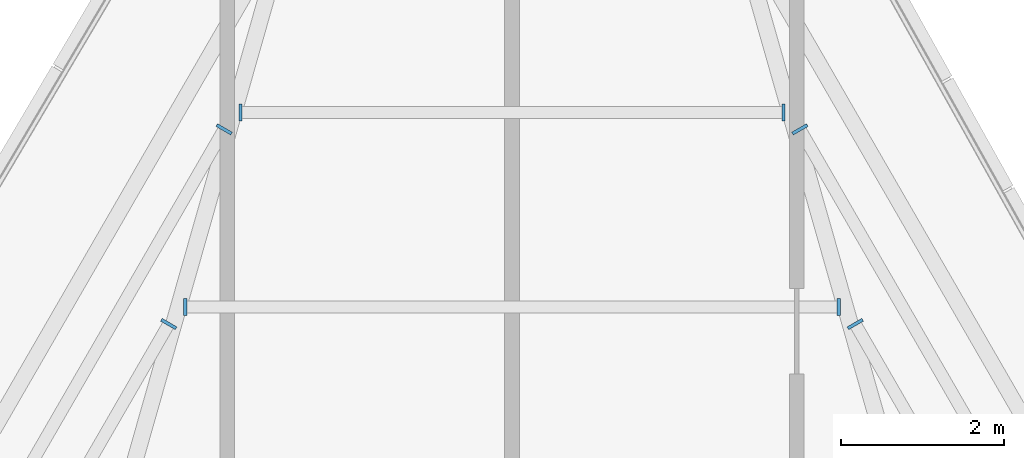
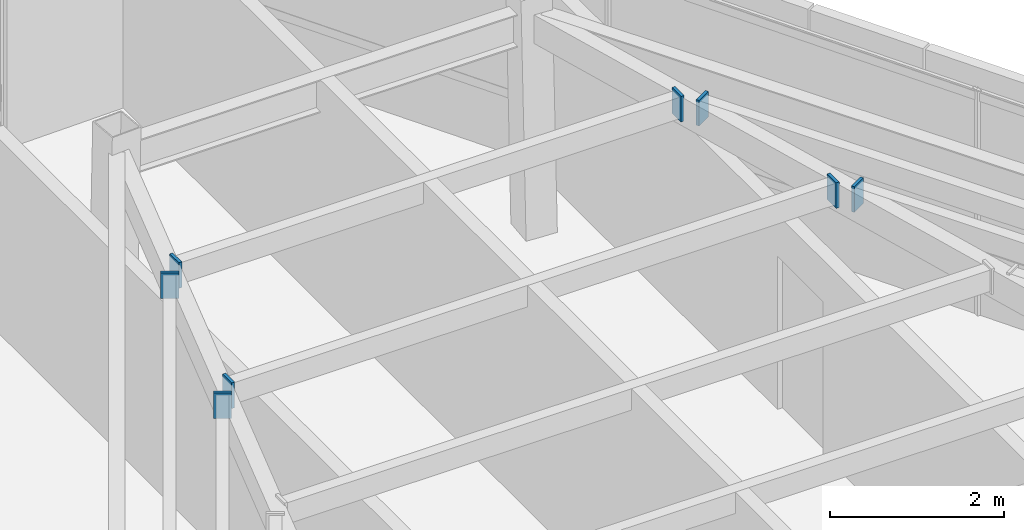
# One storey, part 42 of 48: 8 plates.
"""IFC4 building model written with IfcOpenShell, lengths in metres."""

from ifc_helpers import new_model, si_unit, direction, frame, origin, origin_2d, place, context, subcontext, project, spatial, rectangle, extrude, source, transform, mapped, material, layer, layer_set, type_object, type_shapes, element, save


model = new_model("IFC4")

# Units and contexts
model_context = context("Model", 3, precision=1e-05, world=origin(), true_north=direction((0.0, 1.0)))
body_context = subcontext(model_context, "Body", "Model", "MODEL_VIEW")
ifc_project = project(units=[si_unit("LENGTHUNIT", "METRE"), si_unit("AREAUNIT", "SQUARE_METRE"), si_unit("VOLUMEUNIT", "CUBIC_METRE"), si_unit("PLANEANGLEUNIT", "RADIAN"), si_unit("MASSUNIT", "GRAM", prefix="KILO")], contexts=[model_context])

# Site, building, storey
site_placement = place(None, origin())
site = spatial("IfcSite", under=ifc_project, at=site_placement, CompositionType="ELEMENT")
building_placement = place(site_placement, origin())
building = spatial("IfcBuilding", under=site, at=building_placement, Name="Caelisora Broadcast Tower", CompositionType="ELEMENT")
storey_placement = place(building_placement, frame((0.0, 0.0, 300.0)))
storey = spatial("IfcBuildingStorey", under=building, at=storey_placement, Name="L79", CompositionType="ELEMENT", Elevation=300.0)

# Plates
ifc_material = material(Name="Steel Grade 350 L15 (AS/NZS 3678)", Category="steel")
ifc_layer = layer(ifc_material, 0.0400390625, Name="Steel Grade 350 L15 (AS/NZS 3678)")
ifc_layer_set = layer_set([ifc_layer], Name="Steel Grade 350 L15 (AS/NZS 3678)")
plate_type = type_object("IfcPlateType", Name="GP04", PredefinedType="USERDEFINED", material=ifc_layer_set)
shared_shape = source(origin(), body_context, "Body", "SweptSolid", [
    extrude(rectangle(XDim=0.2099609375, YDim=0.0400390625, at=origin_2d()), origin(), (0.0, 0.0, 1.0), 0.360107421875),
])
type_shapes(plate_type, [shared_shape])
for number, where, z_axis, x_axis, name in (
    (1, (42.01806640625, 41.96875, 2.81982421875), (0.0, 0.0, 1.0), (0.0, -1.0, 0.0), "L79 gusset plate GP04 (ND-SB-L79-005A)"),
    (2, (33.98193359375, 41.96875, 2.81982421875), (0.0, 0.0, 1.0), (0.0, -1.0, 0.0), "L79 gusset plate GP04 (ND-SB-L79-005B)"),
    (3, (41.337890625, 44.362548828125, 2.81982421875), (0.0, 0.0, 1.0), (0.0, -1.0, 0.0), "L79 gusset plate GP04 (ND-SB-L79-006A)"),
    (4, (34.662109375, 44.362548828125, 2.81982421875), (0.0, 0.0, 1.0), (0.0, -1.0, 0.0), "L79 gusset plate GP04 (ND-SB-L79-006B)"),
    (5, (33.78076171875, 41.7607421875, 2.81982421875), (0.0, 0.0, 1.0), (0.866025403784, -0.5, 0.0), "L79 gusset plate GP04 (ND-SB-L79-010A)"),
    (6, (34.4609375, 44.154541015625, 2.81982421875), (0.0, 0.0, 1.0), (0.866025403784, -0.5, 0.0), "L79 gusset plate GP04 (ND-SB-L79-011A)"),
    (7, (42.21923828125, 41.7607421875, 2.81982421875), (0.0, 0.0, 1.0), (-0.866025403784, -0.5, 0.0), "L79 gusset plate GP04 (ND-SB-L79-057B)"),
    (8, (41.5390625, 44.154296875, 2.81982421875), (0.0, 0.0, 1.0), (-0.866025403784, -0.5, 0.0), "L79 gusset plate GP04 (ND-SB-L79-058B)"),
):
    element("IfcPlate", number, at=place(storey_placement, frame(where, z_axis=z_axis, x_axis=x_axis)), inside=storey, type_object=plate_type, Name=name, ObjectType="GUSSET PLATE", PredefinedType="USERDEFINED", context=body_context, shape_type="MappedRepresentation", body=[
        mapped(shared_shape, transform((0.0, 0.0, 0.0), scale=1.0)),
    ])

save(model, "model.ifc")
